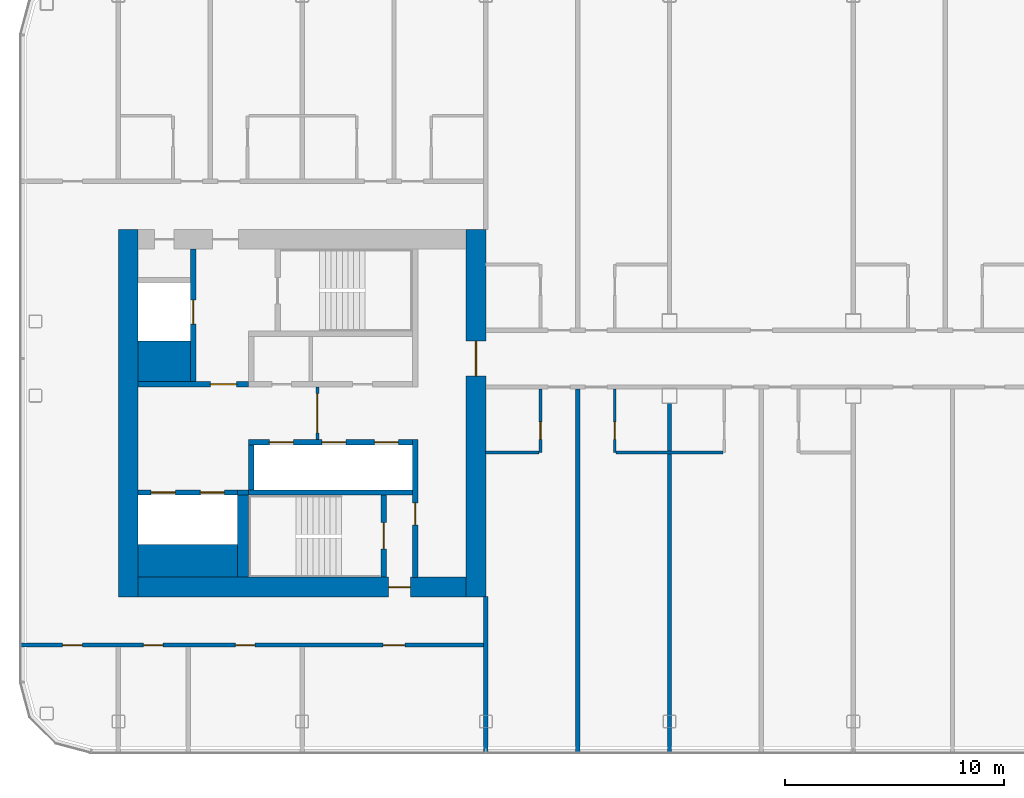
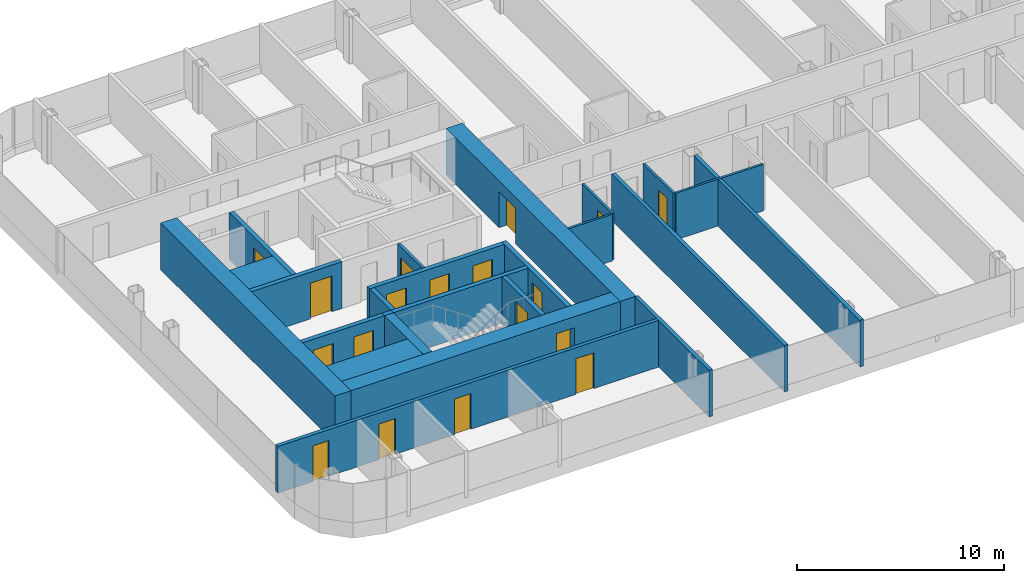
# One storey, part 13 of 26: 24 walls, 18 doors, 18 openings.
"""IFC4 building model written with IfcOpenShell, lengths in metres."""

from ifc_helpers import new_model, si_unit, direction, frame, frame_2d, origin, place, context, subcontext, project, spatial, rectangle, extrude, material, layer, layer_set, type_object, element, fill, save


model = new_model("IFC4")

# Units and contexts
model_context = context("Model", 3, precision=1e-05, world=origin(), true_north=direction((0.0, 1.0)))
body_context = subcontext(model_context, "Body", "Model", "MODEL_VIEW")
ifc_project = project(units=[si_unit("LENGTHUNIT", "METRE"), si_unit("AREAUNIT", "SQUARE_METRE"), si_unit("VOLUMEUNIT", "CUBIC_METRE"), si_unit("PLANEANGLEUNIT", "RADIAN"), si_unit("MASSUNIT", "GRAM", prefix="KILO")], contexts=[model_context])

# Site, building, storey
site_placement = place(None, origin())
site = spatial("IfcSite", under=ifc_project, at=site_placement, CompositionType="ELEMENT")
building_placement = place(site_placement, origin())
building = spatial("IfcBuilding", under=site, at=building_placement, Name="Hakoniwa Tower and Hamabe Station Hall", CompositionType="ELEMENT")
storey_placement = place(building_placement, frame((0.0, 0.0, 189.800048828125)))
storey = spatial("IfcBuildingStorey", under=building, at=storey_placement, Name="L53", CompositionType="ELEMENT", Elevation=189.800048828125)

# Walls
ifc_material_1 = material(Name="Gypsum board partition", Category="gypsum")
ifc_layer_1 = layer(ifc_material_1, 0.125)
ifc_layer_set_1 = layer_set([ifc_layer_1], Name="Bathroom Partition 125")
wall_type_1 = type_object("IfcWallType", Name="Bathroom Partition 125", PredefinedType="PARTITIONING", material=ifc_layer_set_1)
wall_1_placement = place(storey_placement, frame((-16.81005859375, -1.800048828125, 0.0), z_axis=(0.0, 0.0, 1.0), x_axis=(1.0, 0.0, 0.0)))
element("IfcWall", 1, at=wall_1_placement, inside=storey, type_object=wall_type_1, Name="GW-L53-003", PredefinedType="PARTITIONING", context=body_context, shape_type="SweptSolid", body=[
    extrude(rectangle(XDim=2.447509765625, YDim=0.125, at=frame_2d((1.2236328125, 0.0))), origin(), (0.0, 0.0, 1.0), 2.75),
])
wall_2_placement = place(storey_placement, frame((-10.83740234375, -1.800048828125, 0.0), z_axis=(0.0, 0.0, 1.0), x_axis=(1.0, 0.0, 0.0)))
element("IfcWall", 2, at=wall_2_placement, inside=storey, type_object=wall_type_1, Name="GW-L53-004", PredefinedType="PARTITIONING", context=body_context, shape_type="SweptSolid", body=[
    extrude(rectangle(XDim=4.875, YDim=0.125, at=frame_2d((2.4375, 0.0))), origin(), (0.0, 0.0, 1.0), 2.75),
])

# Wall, opening, door
wall_3_placement = place(storey_placement, frame((-14.300048828125, -1.800048828125, 0.0), z_axis=(0.0, 0.0, 1.0), x_axis=(0.0, 1.0, 0.0)))
wall_3 = element("IfcWall", 3, at=wall_3_placement, inside=storey, type_object=wall_type_1, Name="GW-L53-034", PredefinedType="PARTITIONING", context=body_context, shape_type="SweptSolid", body=[
    extrude(rectangle(XDim=2.900146484375, YDim=0.125, at=frame_2d((1.4501953125, 0.0))), origin(), (0.0, 0.0, 1.0), 2.75),
])
opening_1_placement = place(wall_3_placement, frame((0.60009765625, 0.0, 0.0)))
opening_1 = element("IfcOpeningElement", 4, at=opening_1_placement, cuts=wall_3, Name="Opening GD-G4B0-36", PredefinedType="OPENING", context=body_context, shape_type="SweptSolid", body=[
    extrude(rectangle(XDim=0.800048828125, YDim=2.10009765625, at=frame_2d((0.39990234375, 1.050048828125))), frame((0.0, 0.072509765625, 0.0), z_axis=(0.0, -1.0, 0.0), x_axis=(1.0, 0.0, 0.0)), (0.0, 0.0, 1.0), 0.14501953125),
])
ifc_material_2 = material(Name="Timber door leaf", Category="wood")
door_type_1 = type_object("IfcDoorType", Name="Bathroom Door 800", OperationType="SINGLE_SWING_LEFT", PredefinedType="DOOR", material=ifc_material_2)
door_1_placement = place(opening_1_placement, origin())
door_1 = element("IfcDoor", 5, at=door_1_placement, inside=storey, type_object=door_type_1, Name="Door GD-G4B0-36", OperationType="SINGLE_SWING_RIGHT", OverallHeight=2.10009765625, OverallWidth=0.800048828125, PredefinedType="DOOR", context=body_context, shape_type="SweptSolid", body=[
    extrude(rectangle(XDim=0.800048828125, YDim=2.10009765625, at=frame_2d((0.39990234375, 1.050048828125))), frame((0.0, 0.02490234375, 0.0), z_axis=(0.0, -1.0, 0.0), x_axis=(1.0, 0.0, 0.0)), (0.0, 0.0, 1.0), 0.050048828125),
])
fill(opening_1, door_1)

wall_4_placement = place(storey_placement, frame((-10.89990234375, -1.800048828125, 0.0), z_axis=(0.0, 0.0, 1.0), x_axis=(0.0, 1.0, 0.0)))
wall_4 = element("IfcWall", 6, at=wall_4_placement, inside=storey, type_object=wall_type_1, Name="GW-L53-038", PredefinedType="PARTITIONING", context=body_context, shape_type="SweptSolid", body=[
    extrude(rectangle(XDim=2.900146484375, YDim=0.125, at=frame_2d((1.4501953125, 0.0))), origin(), (0.0, 0.0, 1.0), 2.75),
])
opening_2_placement = place(wall_4_placement, frame((0.60009765625, 0.0, 0.0)))
opening_2 = element("IfcOpeningElement", 7, at=opening_2_placement, cuts=wall_4, Name="Opening GD-G4B0-38", PredefinedType="OPENING", context=body_context, shape_type="SweptSolid", body=[
    extrude(rectangle(XDim=0.800048828125, YDim=2.10009765625, at=frame_2d((0.39990234375, 1.050048828125))), frame((0.0, 0.072509765625, 0.0), z_axis=(0.0, -1.0, 0.0), x_axis=(1.0, 0.0, 0.0)), (0.0, 0.0, 1.0), 0.14501953125),
])
door_2_placement = place(opening_2_placement, origin())
door_2 = element("IfcDoor", 8, at=door_2_placement, inside=storey, type_object=door_type_1, Name="Door GD-G4B0-38", OperationType="SINGLE_SWING_LEFT", OverallHeight=2.10009765625, OverallWidth=0.800048828125, PredefinedType="DOOR", context=body_context, shape_type="SweptSolid", body=[
    extrude(rectangle(XDim=0.800048828125, YDim=2.10009765625, at=frame_2d((0.39990234375, 1.050048828125))), frame((0.0, 0.02490234375, 0.0), z_axis=(0.0, -1.0, 0.0), x_axis=(1.0, 0.0, 0.0)), (0.0, 0.0, 1.0), 0.050048828125),
])
fill(opening_2, door_2)

ifc_material_3 = material(Name="Gypsum board partition")
ifc_layer_2 = layer(ifc_material_3, 0.14990234375)
ifc_layer_set_2 = layer_set([ifc_layer_2], Name="CORE PARTITION 150 EI 60")
wall_type_2 = type_object("IfcWallType", Name="CORE PARTITION 150 EI 60", PredefinedType="PARTITIONING", material=ifc_layer_set_2)
wall_5_placement = place(storey_placement, frame((-24.5, -1.199951171875, 0.0), z_axis=(0.0, 0.0, 1.0), x_axis=(0.0, 1.0, 0.0)))
wall_5 = element("IfcWall", 9, at=wall_5_placement, inside=storey, type_object=wall_type_2, Name="Core partition PL0 west", PredefinedType="PARTITIONING", context=body_context, shape_type="SweptSolid", body=[
    extrude(rectangle(XDim=2.39990234375, YDim=0.14990234375, at=frame_2d((1.199951171875, 0.0))), origin(), (0.0, 0.0, 1.0), 2.75),
])
opening_3_placement = place(wall_5_placement, frame((0.300048828125, 0.0, 0.0)))
opening_3 = element("IfcOpeningElement", 10, at=opening_3_placement, cuts=wall_5, Name="Opening CD-W-LP0-18", PredefinedType="OPENING", context=body_context, shape_type="SweptSolid", body=[
    extrude(rectangle(XDim=1.800048828125, YDim=2.10009765625, at=frame_2d((0.89990234375, 1.050048828125))), frame((0.0, 0.0849609375, 0.0), z_axis=(0.0, -1.0, 0.0), x_axis=(1.0, 0.0, 0.0)), (0.0, 0.0, 1.0), 0.169921875),
])
ifc_material_4 = material(Name="Steel fire door", Category="steel")
door_type_2 = type_object("IfcDoorType", Name="CORE DOOR 1800 FD60", OperationType="DOUBLE_DOOR_SINGLE_SWING", PredefinedType="DOOR", material=ifc_material_4)
door_3_placement = place(opening_3_placement, origin())
door_3 = element("IfcDoor", 11, at=door_3_placement, inside=storey, type_object=door_type_2, Name="Lift lobby partition door", OperationType="DOUBLE_DOOR_SINGLE_SWING", OverallHeight=2.10009765625, OverallWidth=1.800048828125, PredefinedType="DOOR", context=body_context, shape_type="SweptSolid", body=[
    extrude(rectangle(XDim=1.800048828125, YDim=2.10009765625, at=frame_2d((0.89990234375, 1.050048828125))), frame((0.0, 0.02490234375, 0.0), z_axis=(0.0, -1.0, 0.0), x_axis=(1.0, 0.0, 0.0)), (0.0, 0.0, 1.0), 0.050048828125),
])
fill(opening_3, door_3)

ifc_material_5 = material(Name="Concrete C60", Category="concrete")
ifc_layer_3 = layer(ifc_material_5, 0.89990234375)
ifc_layer_set_3 = layer_set([ifc_layer_3], Name="CORE WALL 900 C60")
wall_type_3 = type_object("IfcWallType", Name="CORE WALL 900 C60", PredefinedType="SHEAR", material=ifc_layer_set_3)
wall_6_placement = place(storey_placement, frame((-17.25, -8.39990234375, 0.0), z_axis=(0.0, 0.0, 1.0), x_axis=(0.0, 1.0, 0.0)))
wall_6 = element("IfcWall", 12, at=wall_6_placement, inside=storey, type_object=wall_type_3, Name="Core wall INNER west", PredefinedType="SHEAR", context=body_context, shape_type="SweptSolid", body=[
    extrude(rectangle(XDim=16.7998046875, YDim=0.89990234375, at=frame_2d((8.39990234375, 0.0))), origin(), (0.0, 0.0, 1.0), 2.75),
])
opening_4_placement = place(wall_6_placement, frame((10.10009765625, 0.0, 0.0)))
opening_4 = element("IfcOpeningElement", 13, at=opening_4_placement, cuts=wall_6, Name="Opening CD-W-IN1-16", PredefinedType="OPENING", context=body_context, shape_type="SweptSolid", body=[
    extrude(rectangle(XDim=1.60009765625, YDim=2.10009765625, at=frame_2d((0.800048828125, 1.050048828125))), frame((0.0, 0.4599609375, 0.0), z_axis=(0.0, -1.0, 0.0), x_axis=(1.0, 0.0, 0.0)), (0.0, 0.0, 1.0), 0.919921875),
])
ifc_material_6 = material(Name="Steel fire door", Category="steel")
door_type_3 = type_object("IfcDoorType", Name="CORE DOOR 1600 FD60", OperationType="DOUBLE_DOOR_SINGLE_SWING", PredefinedType="DOOR", material=ifc_material_6)
door_4_placement = place(opening_4_placement, origin())
door_4 = element("IfcDoor", 14, at=door_4_placement, inside=storey, type_object=door_type_3, Name="Lift lobby door", OperationType="DOUBLE_DOOR_SINGLE_SWING", OverallHeight=2.10009765625, OverallWidth=1.60009765625, PredefinedType="DOOR", context=body_context, shape_type="SweptSolid", body=[
    extrude(rectangle(XDim=1.60009765625, YDim=2.10009765625, at=frame_2d((0.800048828125, 1.050048828125))), frame((0.0, 0.02490234375, 0.0), z_axis=(0.0, -1.0, 0.0), x_axis=(1.0, 0.0, 0.0)), (0.0, 0.0, 1.0), 0.050048828125),
])
fill(opening_4, door_4)

# Wall
wall_7_placement = place(storey_placement, frame((-33.14990234375, -8.39990234375, 0.0), z_axis=(0.0, 0.0, 1.0), x_axis=(0.0, 1.0, 0.0)))
element("IfcWall", 15, at=wall_7_placement, inside=storey, type_object=wall_type_3, Name="Core wall OUTER west", PredefinedType="SHEAR", context=body_context, shape_type="SweptSolid", body=[
    extrude(rectangle(XDim=16.7998046875, YDim=0.89990234375, at=frame_2d((8.39990234375, 0.0))), origin(), (0.0, 0.0, 1.0), 2.75),
])

# Wall, opening, door
wall_8_placement = place(storey_placement, frame((-32.699951171875, -7.949951171875, 0.0), z_axis=(0.0, 0.0, 1.0), x_axis=(1.0, 0.0, 0.0)))
wall_8 = element("IfcWall", 16, at=wall_8_placement, inside=storey, type_object=wall_type_3, Name="Core wall SOUTH west", PredefinedType="SHEAR", context=body_context, shape_type="SweptSolid", body=[
    extrude(rectangle(XDim=15.0, YDim=0.89990234375, at=frame_2d((7.5, 0.0))), origin(), (0.0, 0.0, 1.0), 2.75),
])
opening_5_placement = place(wall_8_placement, frame((11.449951171875, 0.0, 0.0)))
opening_5 = element("IfcOpeningElement", 17, at=opening_5_placement, cuts=wall_8, Name="Opening CD-W-FS3-10", PredefinedType="OPENING", context=body_context, shape_type="SweptSolid", body=[
    extrude(rectangle(XDim=1.0, YDim=2.10009765625, at=frame_2d((0.5, 1.050048828125))), frame((0.0, 0.4599609375, 0.0), z_axis=(0.0, -1.0, 0.0), x_axis=(1.0, 0.0, 0.0)), (0.0, 0.0, 1.0), 0.919921875),
])
ifc_material_7 = material(Name="Steel fire door", Category="steel")
door_type_4 = type_object("IfcDoorType", Name="CORE DOOR 1000 FD60", OperationType="NOTDEFINED", PredefinedType="DOOR", material=ifc_material_7)
door_5_placement = place(opening_5_placement, origin())
door_5 = element("IfcDoor", 18, at=door_5_placement, inside=storey, type_object=door_type_4, Name="Stair vestibule door", OperationType="SINGLE_SWING_RIGHT", OverallHeight=2.10009765625, OverallWidth=1.0, PredefinedType="DOOR", context=body_context, shape_type="SweptSolid", body=[
    extrude(rectangle(XDim=1.0, YDim=2.10009765625, at=frame_2d((0.5, 1.050048828125))), frame((0.0, 0.02490234375, 0.0), z_axis=(0.0, -1.0, 0.0), x_axis=(1.0, 0.0, 0.0)), (0.0, 0.0, 1.0), 0.050048828125),
])
fill(opening_5, door_5)

# Walls
ifc_material_8 = material(Name="Concrete C60", Category="concrete")
ifc_layer_4 = layer(ifc_material_8, 1.5)
ifc_layer_set_4 = layer_set([ifc_layer_4], Name="CORE WEB WALL 1500 C60")
wall_type_4 = type_object("IfcWallType", Name="CORE WEB WALL 1500 C60", PredefinedType="SHEAR", material=ifc_layer_set_4)
wall_9_placement = place(storey_placement, frame((-32.699951171875, -6.75, 0.0), z_axis=(0.0, 0.0, 1.0), x_axis=(1.0, 0.0, 0.0)))
element("IfcWall", 19, at=wall_9_placement, inside=storey, type_object=wall_type_4, Name="Core wall SER west", PredefinedType="SHEAR", context=body_context, shape_type="SweptSolid", body=[
    extrude(rectangle(XDim=4.550048828125, YDim=1.5, at=frame_2d((2.27490234375, 0.0))), origin(), (0.0, 0.0, 1.0), 2.75),
])
ifc_material_9 = material(Name="Concrete C60", Category="concrete")
ifc_layer_5 = layer(ifc_material_9, 1.85009765625)
ifc_layer_set_5 = layer_set([ifc_layer_5], Name="CORE WEB WALL 1850 C60")
wall_type_5 = type_object("IfcWallType", Name="CORE WEB WALL 1850 C60", PredefinedType="SHEAR", material=ifc_layer_set_5)
wall_10_placement = place(storey_placement, frame((-32.699951171875, 2.375, 0.0), z_axis=(0.0, 0.0, 1.0), x_axis=(1.0, 0.0, 0.0)))
element("IfcWall", 20, at=wall_10_placement, inside=storey, type_object=wall_type_5, Name="Core wall CA west", PredefinedType="SHEAR", context=body_context, shape_type="SweptSolid", body=[
    extrude(rectangle(XDim=2.39990234375, YDim=1.85009765625, at=frame_2d((1.199951171875, 0.0))), origin(), (0.0, 0.0, 1.0), 2.75),
])

# Wall, opening, door
ifc_material_10 = material(Name="Concrete C60", Category="concrete")
ifc_layer_6 = layer(ifc_material_10, 0.25)
ifc_layer_set_6 = layer_set([ifc_layer_6], Name="CORE WEB WALL 250 C60")
wall_type_6 = type_object("IfcWallType", Name="CORE WEB WALL 250 C60", PredefinedType="SHEAR", material=ifc_layer_set_6)
wall_11_placement = place(storey_placement, frame((-20.02490234375, -7.5, 0.0), z_axis=(0.0, 0.0, 1.0), x_axis=(0.0, 1.0, 0.0)))
wall_11 = element("IfcWall", 21, at=wall_11_placement, inside=storey, type_object=wall_type_6, Name="Core wall W1S west", PredefinedType="SHEAR", context=body_context, shape_type="SweptSolid", body=[
    extrude(rectangle(XDim=6.300048828125, YDim=0.25, at=frame_2d((3.14990234375, 0.0))), origin(), (0.0, 0.0, 1.0), 2.75),
])
opening_6_placement = place(wall_11_placement, frame((2.39990234375, 0.0, 0.0)))
opening_6 = element("IfcOpeningElement", 22, at=opening_6_placement, cuts=wall_11, Name="Opening CD-W-VS-10", PredefinedType="OPENING", context=body_context, shape_type="SweptSolid", body=[
    extrude(rectangle(XDim=1.0, YDim=2.10009765625, at=frame_2d((0.5, 1.050048828125))), frame((0.0, 0.135009765625, 0.0), z_axis=(0.0, -1.0, 0.0), x_axis=(1.0, 0.0, 0.0)), (0.0, 0.0, 1.0), 0.27001953125),
])
door_6_placement = place(opening_6_placement, origin())
door_6 = element("IfcDoor", 23, at=door_6_placement, inside=storey, type_object=door_type_4, Name="Stair vestibule door", OperationType="SINGLE_SWING_LEFT", OverallHeight=2.10009765625, OverallWidth=1.0, PredefinedType="DOOR", context=body_context, shape_type="SweptSolid", body=[
    extrude(rectangle(XDim=1.0, YDim=2.10009765625, at=frame_2d((0.5, 1.050048828125))), frame((0.0, 0.02490234375, 0.0), z_axis=(0.0, -1.0, 0.0), x_axis=(1.0, 0.0, 0.0)), (0.0, 0.0, 1.0), 0.050048828125),
])
fill(opening_6, door_6)

wall_12_placement = place(storey_placement, frame((-32.699951171875, 1.324951171875, 0.0), z_axis=(0.0, 0.0, 1.0), x_axis=(1.0, 0.0, 0.0)))
wall_12 = element("IfcWall", 24, at=wall_12_placement, inside=storey, type_object=wall_type_6, Name="Core wall ELN west", PredefinedType="SHEAR", context=body_context, shape_type="SweptSolid", body=[
    extrude(rectangle(XDim=5.050048828125, YDim=0.25, at=frame_2d((2.52490234375, 0.0))), origin(), (0.0, 0.0, 1.0), 2.75),
])
opening_7_placement = place(wall_12_placement, frame((3.300048828125, 0.0, 0.0)))
opening_7 = element("IfcOpeningElement", 25, at=opening_7_placement, cuts=wall_12, Name="Opening CD-W-FL-12", PredefinedType="OPENING", context=body_context, shape_type="SweptSolid", body=[
    extrude(rectangle(XDim=1.199951171875, YDim=2.10009765625, at=frame_2d((0.60009765625, 1.050048828125))), frame((0.0, 0.135009765625, 0.0), z_axis=(0.0, -1.0, 0.0), x_axis=(1.0, 0.0, 0.0)), (0.0, 0.0, 1.0), 0.27001953125),
])
ifc_material_11 = material(Name="Steel fire door", Category="steel")
door_type_5 = type_object("IfcDoorType", Name="CORE DOOR 1200 FD60", OperationType="DOUBLE_DOOR_SINGLE_SWING", PredefinedType="DOOR", material=ifc_material_11)
door_7_placement = place(opening_7_placement, origin())
door_7 = element("IfcDoor", 26, at=door_7_placement, inside=storey, type_object=door_type_5, Name="Stair vestibule door to the fire-fighting lobby", OperationType="DOUBLE_DOOR_SINGLE_SWING", OverallHeight=2.10009765625, OverallWidth=1.199951171875, PredefinedType="DOOR", context=body_context, shape_type="SweptSolid", body=[
    extrude(rectangle(XDim=1.199951171875, YDim=2.10009765625, at=frame_2d((0.60009765625, 1.050048828125))), frame((0.0, 0.02490234375, 0.0), z_axis=(0.0, -1.0, 0.0), x_axis=(1.0, 0.0, 0.0)), (0.0, 0.0, 1.0), 0.050048828125),
])
fill(opening_7, door_7)

wall_13_placement = place(storey_placement, frame((-30.175048828125, 1.449951171875, 0.0), z_axis=(0.0, 0.0, 1.0), x_axis=(0.0, 1.0, 0.0)))
wall_13 = element("IfcWall", 27, at=wall_13_placement, inside=storey, type_object=wall_type_6, Name="Core wall FFF west", PredefinedType="SHEAR", context=body_context, shape_type="SweptSolid", body=[
    extrude(rectangle(XDim=6.050048828125, YDim=0.25, at=frame_2d((3.02490234375, 0.0))), origin(), (0.0, 0.0, 1.0), 2.75),
])
opening_8_placement = place(wall_13_placement, frame((2.625, 0.0, 0.0)))
opening_8 = element("IfcOpeningElement", 28, at=opening_8_placement, cuts=wall_13, Name="Opening LD-FF1", PredefinedType="OPENING", context=body_context, shape_type="SweptSolid", body=[
    extrude(rectangle(XDim=1.10009765625, YDim=2.10009765625, at=frame_2d((0.550048828125, 1.050048828125))), frame((0.0, 0.135009765625, 0.0), z_axis=(0.0, -1.0, 0.0), x_axis=(1.0, 0.0, 0.0)), (0.0, 0.0, 1.0), 0.27001953125),
])
ifc_material_12 = material(Name="Stainless steel SUS304", Category="steel")
door_type_6 = type_object("IfcDoorType", Name="LIFT LANDING DOOR 1100 FD60", OperationType="DOUBLE_DOOR_SLIDING", PredefinedType="DOOR", material=ifc_material_12)
door_8_placement = place(opening_8_placement, origin())
door_8 = element("IfcDoor", 29, at=door_8_placement, inside=storey, type_object=door_type_6, Name="Lift landing door FF1 L53", OperationType="DOUBLE_DOOR_SLIDING", OverallHeight=2.10009765625, OverallWidth=1.10009765625, PredefinedType="DOOR", context=body_context, shape_type="SweptSolid", body=[
    extrude(rectangle(XDim=1.10009765625, YDim=2.10009765625, at=frame_2d((0.550048828125, 1.050048828125))), frame((0.0, 0.02490234375, 0.0), z_axis=(0.0, -1.0, 0.0), x_axis=(1.0, 0.0, 0.0)), (0.0, 0.0, 1.0), 0.050048828125),
])
fill(opening_8, door_8)

# Wall, openings, doors
wall_14_placement = place(storey_placement, frame((-27.64990234375, -1.324951171875, 0.0), z_axis=(0.0, 0.0, 1.0), x_axis=(1.0, 0.0, 0.0)))
wall_14 = element("IfcWall", 30, at=wall_14_placement, inside=storey, type_object=wall_type_6, Name="Core wall SF west", PredefinedType="SHEAR", context=body_context, shape_type="SweptSolid", body=[
    extrude(rectangle(XDim=7.5, YDim=0.25, at=frame_2d((3.75, 0.0))), origin(), (0.0, 0.0, 1.0), 2.75),
])
opening_9_placement = place(wall_14_placement, frame((5.75, 0.0, 0.0)))
opening_9 = element("IfcOpeningElement", 31, at=opening_9_placement, cuts=wall_14, Name="Opening LD-HR1", PredefinedType="OPENING", context=body_context, shape_type="SweptSolid", body=[
    extrude(rectangle(XDim=1.10009765625, YDim=2.10009765625, at=frame_2d((0.550048828125, 1.050048828125))), frame((0.0, 0.135009765625, 0.0), z_axis=(0.0, -1.0, 0.0), x_axis=(1.0, 0.0, 0.0)), (0.0, 0.0, 1.0), 0.27001953125),
])
opening_10_placement = place(wall_14_placement, frame((3.35009765625, 0.0, 0.0)))
opening_10 = element("IfcOpeningElement", 32, at=opening_10_placement, cuts=wall_14, Name="Opening LD-HR2", PredefinedType="OPENING", context=body_context, shape_type="SweptSolid", body=[
    extrude(rectangle(XDim=1.10009765625, YDim=2.10009765625, at=frame_2d((0.550048828125, 1.050048828125))), frame((0.0, 0.135009765625, 0.0), z_axis=(0.0, -1.0, 0.0), x_axis=(1.0, 0.0, 0.0)), (0.0, 0.0, 1.0), 0.27001953125),
])
opening_11_placement = place(wall_14_placement, frame((0.949951171875, 0.0, 0.0)))
opening_11 = element("IfcOpeningElement", 33, at=opening_11_placement, cuts=wall_14, Name="Opening LD-HR3", PredefinedType="OPENING", context=body_context, shape_type="SweptSolid", body=[
    extrude(rectangle(XDim=1.10009765625, YDim=2.10009765625, at=frame_2d((0.550048828125, 1.050048828125))), frame((0.0, 0.135009765625, 0.0), z_axis=(0.0, -1.0, 0.0), x_axis=(1.0, 0.0, 0.0)), (0.0, 0.0, 1.0), 0.27001953125),
])
door_9_placement = place(opening_9_placement, origin())
door_9 = element("IfcDoor", 34, at=door_9_placement, inside=storey, type_object=door_type_6, Name="Lift landing door HR1 L53", OperationType="DOUBLE_DOOR_SLIDING", OverallHeight=2.10009765625, OverallWidth=1.10009765625, PredefinedType="DOOR", context=body_context, shape_type="SweptSolid", body=[
    extrude(rectangle(XDim=1.10009765625, YDim=2.10009765625, at=frame_2d((0.550048828125, 1.050048828125))), frame((0.0, 0.02490234375, 0.0), z_axis=(0.0, -1.0, 0.0), x_axis=(1.0, 0.0, 0.0)), (0.0, 0.0, 1.0), 0.050048828125),
])
fill(opening_9, door_9)
door_10_placement = place(opening_10_placement, origin())
door_10 = element("IfcDoor", 35, at=door_10_placement, inside=storey, type_object=door_type_6, Name="Lift landing door HR2 L53", OperationType="DOUBLE_DOOR_SLIDING", OverallHeight=2.10009765625, OverallWidth=1.10009765625, PredefinedType="DOOR", context=body_context, shape_type="SweptSolid", body=[
    extrude(rectangle(XDim=1.10009765625, YDim=2.10009765625, at=frame_2d((0.550048828125, 1.050048828125))), frame((0.0, 0.02490234375, 0.0), z_axis=(0.0, -1.0, 0.0), x_axis=(1.0, 0.0, 0.0)), (0.0, 0.0, 1.0), 0.050048828125),
])
fill(opening_10, door_10)
door_11_placement = place(opening_11_placement, origin())
door_11 = element("IfcDoor", 36, at=door_11_placement, inside=storey, type_object=door_type_6, Name="Lift landing door HR3 L53", OperationType="DOUBLE_DOOR_SLIDING", OverallHeight=2.10009765625, OverallWidth=1.10009765625, PredefinedType="DOOR", context=body_context, shape_type="SweptSolid", body=[
    extrude(rectangle(XDim=1.10009765625, YDim=2.10009765625, at=frame_2d((0.550048828125, 1.050048828125))), frame((0.0, 0.02490234375, 0.0), z_axis=(0.0, -1.0, 0.0), x_axis=(1.0, 0.0, 0.0)), (0.0, 0.0, 1.0), 0.050048828125),
])
fill(opening_11, door_11)

# Walls
wall_15_placement = place(storey_placement, frame((-27.52490234375, -3.5, 0.0), z_axis=(0.0, 0.0, 1.0), x_axis=(0.0, 1.0, 0.0)))
element("IfcWall", 37, at=wall_15_placement, inside=storey, type_object=wall_type_6, Name="Core wall SE west", PredefinedType="SHEAR", context=body_context, shape_type="SweptSolid", body=[
    extrude(rectangle(XDim=2.050048828125, YDim=0.25, at=frame_2d((1.02490234375, 0.0))), origin(), (0.0, 0.0, 1.0), 2.75),
])
wall_16_placement = place(storey_placement, frame((-27.64990234375, -3.625, 0.0), z_axis=(0.0, 0.0, 1.0), x_axis=(1.0, 0.0, 0.0)))
element("IfcWall", 38, at=wall_16_placement, inside=storey, type_object=wall_type_6, Name="Core wall SR west", PredefinedType="SHEAR", context=body_context, shape_type="SweptSolid", body=[
    extrude(rectangle(XDim=7.5, YDim=0.25, at=frame_2d((3.75, 0.0))), origin(), (0.0, 0.0, 1.0), 2.75),
])

# Wall, opening, door
wall_17_placement = place(storey_placement, frame((-21.47509765625, -7.5, 0.0), z_axis=(0.0, 0.0, 1.0), x_axis=(0.0, 1.0, 0.0)))
wall_17 = element("IfcWall", 39, at=wall_17_placement, inside=storey, type_object=wall_type_6, Name="Core wall VE west", PredefinedType="SHEAR", context=body_context, shape_type="SweptSolid", body=[
    extrude(rectangle(XDim=3.75, YDim=0.25, at=frame_2d((1.875, 0.0))), origin(), (0.0, 0.0, 1.0), 2.75),
])
opening_12_placement = place(wall_17_placement, frame((1.300048828125, 0.0, 0.0)))
opening_12 = element("IfcOpeningElement", 40, at=opening_12_placement, cuts=wall_17, Name="Opening CD-W-SS-12", PredefinedType="OPENING", context=body_context, shape_type="SweptSolid", body=[
    extrude(rectangle(XDim=1.199951171875, YDim=2.10009765625, at=frame_2d((0.60009765625, 1.050048828125))), frame((0.0, 0.135009765625, 0.0), z_axis=(0.0, -1.0, 0.0), x_axis=(1.0, 0.0, 0.0)), (0.0, 0.0, 1.0), 0.27001953125),
])
door_12_placement = place(opening_12_placement, origin())
door_12 = element("IfcDoor", 41, at=door_12_placement, inside=storey, type_object=door_type_5, Name="Escape stair door", OperationType="DOUBLE_DOOR_SINGLE_SWING", OverallHeight=2.10009765625, OverallWidth=1.199951171875, PredefinedType="DOOR", context=body_context, shape_type="SweptSolid", body=[
    extrude(rectangle(XDim=1.199951171875, YDim=2.10009765625, at=frame_2d((0.60009765625, 1.050048828125))), frame((0.0, 0.02490234375, 0.0), z_axis=(0.0, -1.0, 0.0), x_axis=(1.0, 0.0, 0.0)), (0.0, 0.0, 1.0), 0.050048828125),
])
fill(opening_12, door_12)

# Wall, openings, doors
wall_18_placement = place(storey_placement, frame((-32.699951171875, -3.625, 0.0), z_axis=(0.0, 0.0, 1.0), x_axis=(1.0, 0.0, 0.0)))
wall_18 = element("IfcWall", 42, at=wall_18_placement, inside=storey, type_object=wall_type_6, Name="Core wall SEF west", PredefinedType="SHEAR", context=body_context, shape_type="SweptSolid", body=[
    extrude(rectangle(XDim=4.550048828125, YDim=0.25, at=frame_2d((2.27490234375, 0.0))), origin(), (0.0, 0.0, 1.0), 2.75),
])
opening_13_placement = place(wall_18_placement, frame((2.85009765625, 0.0, 0.0)))
opening_13 = element("IfcOpeningElement", 43, at=opening_13_placement, cuts=wall_18, Name="Opening LD-SV1", PredefinedType="OPENING", context=body_context, shape_type="SweptSolid", body=[
    extrude(rectangle(XDim=1.10009765625, YDim=2.10009765625, at=frame_2d((0.550048828125, 1.050048828125))), frame((0.0, 0.135009765625, 0.0), z_axis=(0.0, -1.0, 0.0), x_axis=(1.0, 0.0, 0.0)), (0.0, 0.0, 1.0), 0.27001953125),
])
opening_14_placement = place(wall_18_placement, frame((0.60009765625, 0.0, 0.0)))
opening_14 = element("IfcOpeningElement", 44, at=opening_14_placement, cuts=wall_18, Name="Opening LD-SV2", PredefinedType="OPENING", context=body_context, shape_type="SweptSolid", body=[
    extrude(rectangle(XDim=1.10009765625, YDim=2.10009765625, at=frame_2d((0.550048828125, 1.050048828125))), frame((0.0, 0.135009765625, 0.0), z_axis=(0.0, -1.0, 0.0), x_axis=(1.0, 0.0, 0.0)), (0.0, 0.0, 1.0), 0.27001953125),
])
door_13_placement = place(opening_13_placement, origin())
door_13 = element("IfcDoor", 45, at=door_13_placement, inside=storey, type_object=door_type_6, Name="Lift landing door SV1 L53", OperationType="DOUBLE_DOOR_SLIDING", OverallHeight=2.10009765625, OverallWidth=1.10009765625, PredefinedType="DOOR", context=body_context, shape_type="SweptSolid", body=[
    extrude(rectangle(XDim=1.10009765625, YDim=2.10009765625, at=frame_2d((0.550048828125, 1.050048828125))), frame((0.0, 0.02490234375, 0.0), z_axis=(0.0, -1.0, 0.0), x_axis=(1.0, 0.0, 0.0)), (0.0, 0.0, 1.0), 0.050048828125),
])
fill(opening_13, door_13)
door_14_placement = place(opening_14_placement, origin())
door_14 = element("IfcDoor", 46, at=door_14_placement, inside=storey, type_object=door_type_6, Name="Lift landing door SV2 L53", OperationType="DOUBLE_DOOR_SLIDING", OverallHeight=2.10009765625, OverallWidth=1.10009765625, PredefinedType="DOOR", context=body_context, shape_type="SweptSolid", body=[
    extrude(rectangle(XDim=1.10009765625, YDim=2.10009765625, at=frame_2d((0.550048828125, 1.050048828125))), frame((0.0, 0.02490234375, 0.0), z_axis=(0.0, -1.0, 0.0), x_axis=(1.0, 0.0, 0.0)), (0.0, 0.0, 1.0), 0.050048828125),
])
fill(opening_14, door_14)

# Walls
wall_19_placement = place(storey_placement, frame((-28.14990234375, -3.625, 0.0), z_axis=(0.0, 0.0, 1.0), x_axis=(1.0, 0.0, 0.0)))
element("IfcWall", 47, at=wall_19_placement, inside=storey, type_object=wall_type_6, Name="Core wall SRK west", PredefinedType="SHEAR", context=body_context, shape_type="SweptSolid", body=[
    extrude(rectangle(XDim=0.5, YDim=0.25, at=frame_2d((0.25, 0.0))), origin(), (0.0, 0.0, 1.0), 2.75),
])
ifc_material_13 = material(Name="Concrete C60", Category="concrete")
ifc_layer_7 = layer(ifc_material_13, 0.5)
ifc_layer_set_7 = layer_set([ifc_layer_7], Name="CORE WEB WALL 500 C60")
wall_type_7 = type_object("IfcWallType", Name="CORE WEB WALL 500 C60", PredefinedType="SHEAR", material=ifc_layer_set_7)
wall_20_placement = place(storey_placement, frame((-27.89990234375, -7.5, 0.0), z_axis=(0.0, 0.0, 1.0), x_axis=(0.0, 1.0, 0.0)))
element("IfcWall", 48, at=wall_20_placement, inside=storey, type_object=wall_type_7, Name="Core wall SSE west", PredefinedType="SHEAR", context=body_context, shape_type="SweptSolid", body=[
    extrude(rectangle(XDim=3.75, YDim=0.5, at=frame_2d((1.875, 0.0))), origin(), (0.0, 0.0, 1.0), 2.75),
])

# Wall, openings, doors
ifc_material_14 = material(Name="Fire-rated gypsum board partition", Category="gypsum")
ifc_layer_8 = layer(ifc_material_14, 0.199951171875)
ifc_layer_set_8 = layer_set([ifc_layer_8], Name="Corridor Wall 200")
wall_type_8 = type_object("IfcWallType", Name="Corridor Wall 200", PredefinedType="PARTITIONING", material=ifc_layer_set_8)
wall_21_placement = place(storey_placement, frame((-38.10009765625, -10.60009765625, 0.0), z_axis=(0.0, 0.0, 1.0), x_axis=(1.0, 0.0, 0.0)))
wall_21 = element("IfcWall", 49, at=wall_21_placement, inside=storey, type_object=wall_type_8, Name="GW-L53-001", PredefinedType="PARTITIONING", context=body_context, shape_type="SweptSolid", body=[
    extrude(rectangle(XDim=21.300048828125, YDim=0.199951171875, at=frame_2d((10.64990234375, 0.0))), origin(), (0.0, 0.0, 1.0), 2.75),
])
opening_15_placement = place(wall_21_placement, frame((1.949951171875, 0.0, 0.0)))
opening_15 = element("IfcOpeningElement", 50, at=opening_15_placement, cuts=wall_21, Name="Opening GD-G4B0-01", PredefinedType="OPENING", context=body_context, shape_type="SweptSolid", body=[
    extrude(rectangle(XDim=0.89990234375, YDim=2.10009765625, at=frame_2d((0.449951171875, 1.050048828125))), frame((0.0, 0.10986328125, 0.0), z_axis=(0.0, -1.0, 0.0), x_axis=(1.0, 0.0, 0.0)), (0.0, 0.0, 1.0), 0.219970703125),
])
opening_16_placement = place(wall_21_placement, frame((5.64501953125, 0.0, 0.0)))
opening_16 = element("IfcOpeningElement", 51, at=opening_16_placement, cuts=wall_21, Name="Opening GD-G4B0-02", PredefinedType="OPENING", context=body_context, shape_type="SweptSolid", body=[
    extrude(rectangle(XDim=0.89990234375, YDim=2.10009765625, at=frame_2d((0.449951171875, 1.050048828125))), frame((0.0, 0.10986328125, 0.0), z_axis=(0.0, -1.0, 0.0), x_axis=(1.0, 0.0, 0.0)), (0.0, 0.0, 1.0), 0.219970703125),
])
opening_17_placement = place(wall_21_placement, frame((9.844970703125, 0.0, 0.0)))
opening_17 = element("IfcOpeningElement", 52, at=opening_17_placement, cuts=wall_21, Name="Opening GD-G4B0-03", PredefinedType="OPENING", context=body_context, shape_type="SweptSolid", body=[
    extrude(rectangle(XDim=0.89990234375, YDim=2.10009765625, at=frame_2d((0.449951171875, 1.050048828125))), frame((0.0, 0.10986328125, 0.0), z_axis=(0.0, -1.0, 0.0), x_axis=(1.0, 0.0, 0.0)), (0.0, 0.0, 1.0), 0.219970703125),
])
opening_18_placement = place(wall_21_placement, frame((16.60009765625, 0.0, 0.0)))
opening_18 = element("IfcOpeningElement", 53, at=opening_18_placement, cuts=wall_21, Name="Opening GD-G4B0-04", PredefinedType="OPENING", context=body_context, shape_type="SweptSolid", body=[
    extrude(rectangle(XDim=1.0, YDim=2.10009765625, at=frame_2d((0.5, 1.050048828125))), frame((0.0, 0.10986328125, 0.0), z_axis=(0.0, -1.0, 0.0), x_axis=(1.0, 0.0, 0.0)), (0.0, 0.0, 1.0), 0.219970703125),
])
ifc_material_15 = material(Name="Timber door leaf", Category="wood")
door_type_7 = type_object("IfcDoorType", Name="Guest Entrance Door 1000", OperationType="SINGLE_SWING_LEFT", PredefinedType="DOOR", material=ifc_material_15)
door_15_placement = place(opening_18_placement, origin())
door_15 = element("IfcDoor", 54, at=door_15_placement, inside=storey, type_object=door_type_7, Name="Door GD-G4B0-04", OperationType="SINGLE_SWING_RIGHT", OverallHeight=2.10009765625, OverallWidth=1.0, PredefinedType="DOOR", context=body_context, shape_type="SweptSolid", body=[
    extrude(rectangle(XDim=1.0, YDim=2.10009765625, at=frame_2d((0.5, 1.050048828125))), frame((0.0, 0.02490234375, 0.0), z_axis=(0.0, -1.0, 0.0), x_axis=(1.0, 0.0, 0.0)), (0.0, 0.0, 1.0), 0.050048828125),
])
fill(opening_18, door_15)
ifc_material_16 = material(Name="Timber door leaf", Category="wood")
door_type_8 = type_object("IfcDoorType", Name="Service Door 900", OperationType="SINGLE_SWING_LEFT", PredefinedType="DOOR", material=ifc_material_16)
door_16_placement = place(opening_15_placement, origin())
door_16 = element("IfcDoor", 55, at=door_16_placement, inside=storey, type_object=door_type_8, Name="Door GD-G4B0-01", OperationType="SINGLE_SWING_RIGHT", OverallHeight=2.10009765625, OverallWidth=0.89990234375, PredefinedType="DOOR", context=body_context, shape_type="SweptSolid", body=[
    extrude(rectangle(XDim=0.89990234375, YDim=2.10009765625, at=frame_2d((0.449951171875, 1.050048828125))), frame((0.0, 0.02490234375, 0.0), z_axis=(0.0, -1.0, 0.0), x_axis=(1.0, 0.0, 0.0)), (0.0, 0.0, 1.0), 0.050048828125),
])
fill(opening_15, door_16)
door_17_placement = place(opening_16_placement, origin())
door_17 = element("IfcDoor", 56, at=door_17_placement, inside=storey, type_object=door_type_8, Name="Door GD-G4B0-02", OperationType="SINGLE_SWING_RIGHT", OverallHeight=2.10009765625, OverallWidth=0.89990234375, PredefinedType="DOOR", context=body_context, shape_type="SweptSolid", body=[
    extrude(rectangle(XDim=0.89990234375, YDim=2.10009765625, at=frame_2d((0.449951171875, 1.050048828125))), frame((0.0, 0.02490234375, 0.0), z_axis=(0.0, -1.0, 0.0), x_axis=(1.0, 0.0, 0.0)), (0.0, 0.0, 1.0), 0.050048828125),
])
fill(opening_16, door_17)
door_18_placement = place(opening_17_placement, origin())
door_18 = element("IfcDoor", 57, at=door_18_placement, inside=storey, type_object=door_type_8, Name="Door GD-G4B0-03", OperationType="SINGLE_SWING_LEFT", OverallHeight=2.10009765625, OverallWidth=0.89990234375, PredefinedType="DOOR", context=body_context, shape_type="SweptSolid", body=[
    extrude(rectangle(XDim=0.89990234375, YDim=2.10009765625, at=frame_2d((0.449951171875, 1.050048828125))), frame((0.0, 0.02490234375, 0.0), z_axis=(0.0, -1.0, 0.0), x_axis=(1.0, 0.0, 0.0)), (0.0, 0.0, 1.0), 0.050048828125),
])
fill(opening_17, door_18)

# Walls
ifc_material_17 = material(Name="Fire-rated gypsum board partition", Category="gypsum")
ifc_layer_9 = layer(ifc_material_17, 0.199951171875)
ifc_layer_set_9 = layer_set([ifc_layer_9], Name="Party Wall 200")
wall_type_9 = type_object("IfcWallType", Name="Party Wall 200", PredefinedType="PARTITIONING", material=ifc_layer_set_9)
wall_22_placement = place(storey_placement, frame((-16.800048828125, -15.550048828125, 0.0), z_axis=(0.0, 0.0, 1.0), x_axis=(0.0, 1.0, 0.0)))
element("IfcWall", 58, at=wall_22_placement, inside=storey, type_object=wall_type_9, Name="GW-L53-032", PredefinedType="PARTITIONING", context=body_context, shape_type="SweptSolid", body=[
    extrude(rectangle(XDim=7.16015625, YDim=0.199951171875, at=frame_2d((3.580078125, 0.0))), origin(), (0.0, 0.0, 1.0), 2.75),
])
wall_23_placement = place(storey_placement, frame((-12.60009765625, -15.550048828125, 0.0), z_axis=(0.0, 0.0, 1.0), x_axis=(0.0, 1.0, 0.0)))
element("IfcWall", 59, at=wall_23_placement, inside=storey, type_object=wall_type_9, Name="GW-L53-036", PredefinedType="PARTITIONING", context=body_context, shape_type="SweptSolid", body=[
    extrude(rectangle(XDim=16.650146484375, YDim=0.199951171875, at=frame_2d((8.3251953125, 0.0))), origin(), (0.0, 0.0, 1.0), 2.75),
])
wall_24_placement = place(storey_placement, frame((-8.39990234375, -15.550048828125, 0.0), z_axis=(0.0, 0.0, 1.0), x_axis=(0.0, 1.0, 0.0)))
element("IfcWall", 60, at=wall_24_placement, inside=storey, type_object=wall_type_9, Name="GW-L53-040", PredefinedType="PARTITIONING", context=body_context, shape_type="SweptSolid", body=[
    extrude(rectangle(XDim=16.010009765625, YDim=0.199951171875, at=frame_2d((8.0048828125, 0.0))), origin(), (0.0, 0.0, 1.0), 2.75),
])

save(model, "model.ifc")
